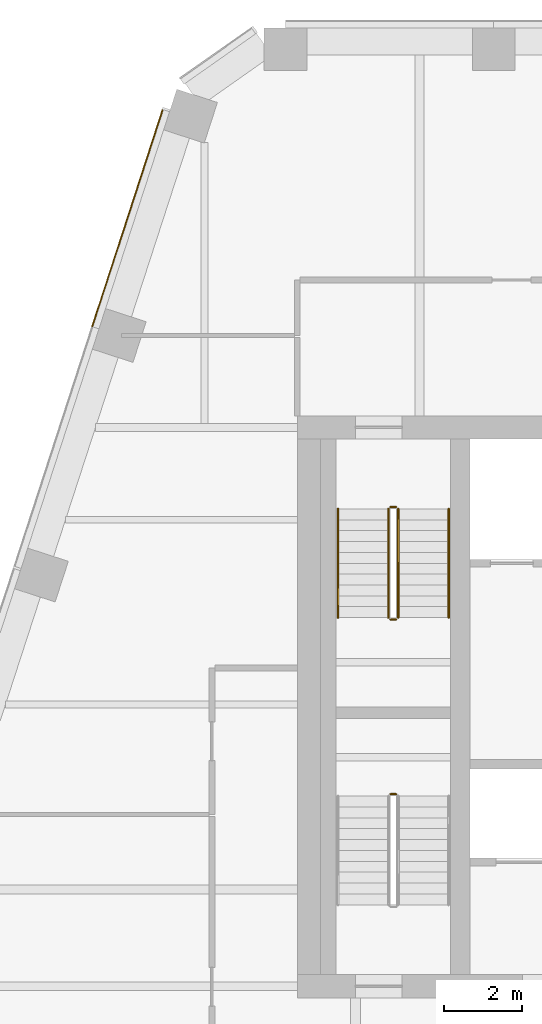
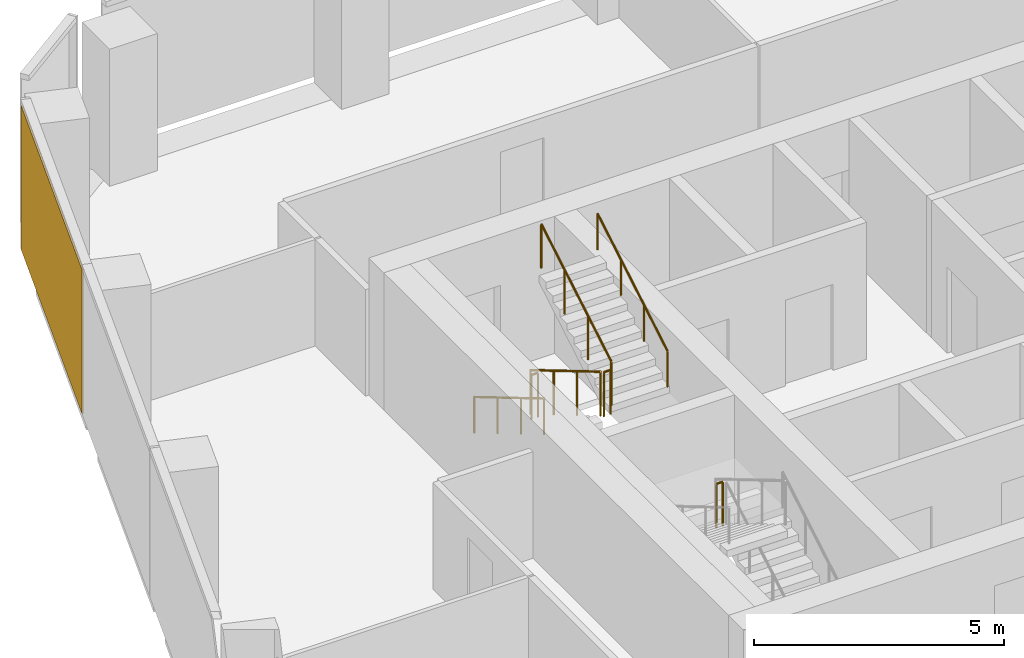
# One storey, part 15 of 16: 7 railings, 1 covering, 1 element without a shape of its own.
"""IFC4 building model written with IfcOpenShell, lengths in metres."""

from ifc_helpers import new_model, si_unit, direction, frame, origin, origin_2d, place, context, subcontext, project, spatial, rectangle, circle, extrude, material, layer, layer_set, type_object, element, aggregate, save


model = new_model("IFC4")

# Units and contexts
model_context = context("Model", 3, precision=1e-05, world=origin(), true_north=direction((0.0, 1.0)))
body_context = subcontext(model_context, "Body", "Model", "MODEL_VIEW")
ifc_project = project(units=[si_unit("LENGTHUNIT", "METRE"), si_unit("AREAUNIT", "SQUARE_METRE"), si_unit("VOLUMEUNIT", "CUBIC_METRE"), si_unit("PLANEANGLEUNIT", "RADIAN"), si_unit("MASSUNIT", "GRAM", prefix="KILO")], contexts=[model_context])

# Site, building, storey
site_placement = place(None, origin())
site = spatial("IfcSite", under=ifc_project, at=site_placement, CompositionType="ELEMENT")
building_placement = place(site_placement, origin())
building = spatial("IfcBuilding", under=site, at=building_placement, Name="Isthmus Gate Tower", CompositionType="ELEMENT")
storey_placement = place(building_placement, frame((0.0, 0.0, 252.800048828125)))
storey = spatial("IfcBuildingStorey", under=building, at=storey_placement, Name="L64", CompositionType="ELEMENT", Elevation=252.800048828125)

# Curtain wall, covering
ifc_material_1 = material(Name="Aluminium, pale champagne anodised", Category="aluminium")
ifc_layer_1 = layer(ifc_material_1, 0.199951171875)
ifc_layer_set_1 = layer_set([ifc_layer_1], Name="CW-1 UNITISED CURTAIN WALL 200 DEEP")
curtain_wall_type = type_object("IfcCurtainWallType", Name="CW-1 UNITISED CURTAIN WALL 200 DEEP", PredefinedType="NOTDEFINED", material=ifc_layer_set_1)
curtain_wall_placement = place(storey_placement, origin())
curtain_wall = element("IfcCurtainWall", 1, at=curtain_wall_placement, inside=storey, type_object=curtain_wall_type, Name="CW-1 NW L64", PredefinedType="NOTDEFINED")
ifc_material_2 = material(Name="Aluminium composite panel, pale champagne anodised", Category="aluminium")
ifc_layer_2 = layer(ifc_material_2, 0.031982421875)
ifc_layer_set_2 = layer_set([ifc_layer_2], Name="CW-1 PALE METAL PANEL 32")
covering_type = type_object("IfcCoveringType", Name="CW-1 PALE METAL PANEL 32", PredefinedType="CLADDING", material=ifc_layer_set_2)
covering_placement = place(storey_placement, frame((-19.37646484375, 20.0947265625, 0.0), z_axis=(0.0, 0.0, 1.0), x_axis=(-0.309016994375, -0.951056516295, 0.0)))
covering = element("IfcCovering", 2, at=covering_placement, type_object=covering_type, Name="CW-1 pale metal panel", PredefinedType="CLADDING", context=body_context, shape_type="SweptSolid", body=[
    extrude(rectangle(XDim=5.8818359375, YDim=0.031982421875, at=origin_2d()), origin(), (0.0, 0.0, 1.0), 3.52001953125),
])
aggregate(curtain_wall, [covering])

# Railings
ifc_material_3 = material(Name="Stainless steel balustrade", Category="steel")
railing_type_1 = type_object("IfcRailingType", Name="STAIR GUARD 1100", PredefinedType="GUARDRAIL", material=ifc_material_3)
railing_1_placement = place(storey_placement, frame((-12.64990234375, 12.60009765625, 0.165771484375)))
element("IfcRailing", 3, at=railing_1_placement, inside=storey, type_object=railing_type_1, Name="L64 ST1 stair guard 1", PredefinedType="GUARDRAIL", context=body_context, shape_type="SweptSolid", body=[
    extrude(circle(Radius=0.02392578125, at=origin_2d()), frame((0.0, 0.0, 1.076171875), z_axis=(0.0, -0.860306154799, 0.50977771628), x_axis=(1.0, 0.0, 0.0)), (0.0, 0.0, 1.0), 3.254638671875),
    extrude(circle(Radius=0.02099609375, at=origin_2d()), origin(), (0.0, 0.0, 1.0), 1.052001953125),
    extrude(circle(Radius=0.02099609375, at=origin_2d()), frame((0.0, -0.933349609375, 0.552978515625)), (0.0, 0.0, 1.0), 1.052001953125),
    extrude(circle(Radius=0.02099609375, at=origin_2d()), frame((0.0, -1.86669921875, 1.106201171875)), (0.0, 0.0, 1.0), 1.052001953125),
    extrude(circle(Radius=0.02099609375, at=origin_2d()), frame((0.0, -2.800048828125, 1.6591796875)), (0.0, 0.0, 1.0), 1.052001953125),
])
railing_2_placement = place(storey_placement, frame((-12.60009765625, 9.75, 1.824951171875)))
element("IfcRailing", 4, at=railing_2_placement, inside=storey, type_object=railing_type_1, Name="L64 ST1 stair guard 2", PredefinedType="GUARDRAIL", context=body_context, shape_type="SweptSolid", body=[
    extrude(circle(Radius=0.02392578125, at=origin_2d()), frame((0.0, 0.0, 1.076171875), z_axis=(1.0, 0.0, 0.0), x_axis=(0.0, 1.0, 0.0)), (0.0, 0.0, 1.0), 0.150146484375),
    extrude(circle(Radius=0.02099609375, at=origin_2d()), origin(), (0.0, 0.0, 1.0), 1.052001953125),
    extrude(circle(Radius=0.02099609375, at=origin_2d()), frame((0.150146484375, 0.0, 0.0)), (0.0, 0.0, 1.0), 1.052001953125),
])
railing_3_placement = place(storey_placement, frame((-12.39990234375, 9.800048828125, 1.990966796875)))
element("IfcRailing", 5, at=railing_3_placement, inside=storey, type_object=railing_type_1, Name="L64 ST1 stair guard 3", PredefinedType="GUARDRAIL", context=body_context, shape_type="SweptSolid", body=[
    extrude(circle(Radius=0.02392578125, at=origin_2d()), frame((0.0, 0.0, 1.076171875), z_axis=(0.0, 0.860339051648, 0.50972219513), x_axis=(-1.0, 0.0, 0.0)), (0.0, 0.0, 1.0), 3.254638671875),
    extrude(circle(Radius=0.02099609375, at=origin_2d()), origin(), (0.0, 0.0, 1.0), 1.052001953125),
    extrude(circle(Radius=0.02099609375, at=origin_2d()), frame((0.0, 0.933349609375, 0.552978515625)), (0.0, 0.0, 1.0), 1.052001953125),
    extrude(circle(Radius=0.02099609375, at=origin_2d()), frame((0.0, 1.86669921875, 1.10595703125)), (0.0, 0.0, 1.0), 1.052001953125),
    extrude(circle(Radius=0.02099609375, at=origin_2d()), frame((0.0, 2.800048828125, 1.658935546875)), (0.0, 0.0, 1.0), 1.052001953125),
])
railing_4_placement = place(storey_placement, frame((-12.60009765625, 12.64990234375, 0.0)))
element("IfcRailing", 6, at=railing_4_placement, inside=storey, type_object=railing_type_1, Name="L64 ST1 stair guard 4", PredefinedType="GUARDRAIL", context=body_context, shape_type="SweptSolid", body=[
    extrude(circle(Radius=0.02392578125, at=origin_2d()), frame((0.0, 0.0, 1.076171875), z_axis=(1.0, 0.0, 0.0), x_axis=(0.0, 1.0, 0.0)), (0.0, 0.0, 1.0), 0.150146484375),
    extrude(circle(Radius=0.02099609375, at=origin_2d()), origin(), (0.0, 0.0, 1.0), 1.052001953125),
    extrude(circle(Radius=0.02099609375, at=origin_2d()), frame((0.150146484375, 0.0, 0.0)), (0.0, 0.0, 1.0), 1.052001953125),
])
railing_5_placement = place(storey_placement, frame((-12.449951171875, 5.25, 1.824951171875)))
element("IfcRailing", 7, at=railing_5_placement, inside=storey, type_object=railing_type_1, Name="L64 ST7 stair guard 2", PredefinedType="GUARDRAIL", context=body_context, shape_type="SweptSolid", body=[
    extrude(circle(Radius=0.02392578125, at=origin_2d()), frame((0.0, 0.0, 1.076171875), z_axis=(-1.0, 0.0, 0.0), x_axis=(0.0, -1.0, 0.0)), (0.0, 0.0, 1.0), 0.150146484375),
    extrude(circle(Radius=0.02099609375, at=origin_2d()), origin(), (0.0, 0.0, 1.0), 1.052001953125),
    extrude(circle(Radius=0.02099609375, at=origin_2d()), frame((-0.150146484375, 0.0, 0.0)), (0.0, 0.0, 1.0), 1.052001953125),
])
ifc_material_4 = material(Name="Stainless steel handrail", Category="steel")
railing_type_2 = type_object("IfcRailingType", Name="STAIR HANDRAIL 900", PredefinedType="HANDRAIL", material=ifc_material_4)
railing_6_placement = place(storey_placement, frame((-13.949951171875, 12.60009765625, 0.165771484375)))
element("IfcRailing", 8, at=railing_6_placement, inside=storey, type_object=railing_type_2, Name="L64 ST1 stair handrail 1", PredefinedType="HANDRAIL", context=body_context, shape_type="SweptSolid", body=[
    extrude(circle(Radius=0.02392578125, at=origin_2d()), frame((0.0, 0.0, 0.8759765625), z_axis=(0.0, -0.860306154799, 0.50977771628), x_axis=(1.0, 0.0, 0.0)), (0.0, 0.0, 1.0), 3.254638671875),
    extrude(circle(Radius=0.02099609375, at=origin_2d()), origin(), (0.0, 0.0, 1.0), 0.851806640625),
    extrude(circle(Radius=0.02099609375, at=origin_2d()), frame((0.0, -0.933349609375, 0.552978515625)), (0.0, 0.0, 1.0), 0.851806640625),
    extrude(circle(Radius=0.02099609375, at=origin_2d()), frame((0.0, -1.86669921875, 1.106201171875)), (0.0, 0.0, 1.0), 0.851806640625),
    extrude(circle(Radius=0.02099609375, at=origin_2d()), frame((0.0, -2.800048828125, 1.6591796875)), (0.0, 0.0, 1.0), 0.851806640625),
])
railing_7_placement = place(storey_placement, frame((-11.10009765625, 9.800048828125, 1.990966796875)))
element("IfcRailing", 9, at=railing_7_placement, inside=storey, type_object=railing_type_2, Name="L64 ST1 stair handrail 2", PredefinedType="HANDRAIL", context=body_context, shape_type="SweptSolid", body=[
    extrude(circle(Radius=0.02392578125, at=origin_2d()), frame((0.0, 0.0, 0.8759765625), z_axis=(0.0, 0.860339051648, 0.50972219513), x_axis=(-1.0, 0.0, 0.0)), (0.0, 0.0, 1.0), 3.254638671875),
    extrude(circle(Radius=0.02099609375, at=origin_2d()), origin(), (0.0, 0.0, 1.0), 0.851806640625),
    extrude(circle(Radius=0.02099609375, at=origin_2d()), frame((0.0, 0.933349609375, 0.552978515625)), (0.0, 0.0, 1.0), 0.851806640625),
    extrude(circle(Radius=0.02099609375, at=origin_2d()), frame((0.0, 1.86669921875, 1.10595703125)), (0.0, 0.0, 1.0), 0.851806640625),
    extrude(circle(Radius=0.02099609375, at=origin_2d()), frame((0.0, 2.800048828125, 1.658935546875)), (0.0, 0.0, 1.0), 0.851806640625),
])

save(model, "model.ifc")
